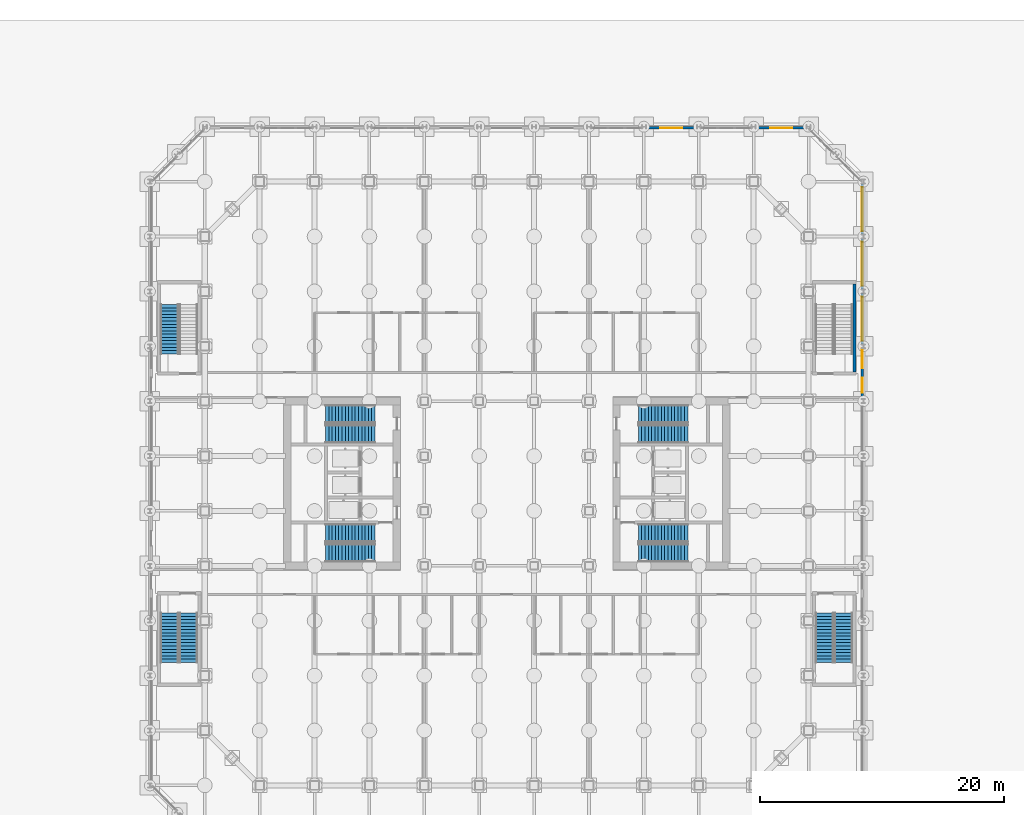
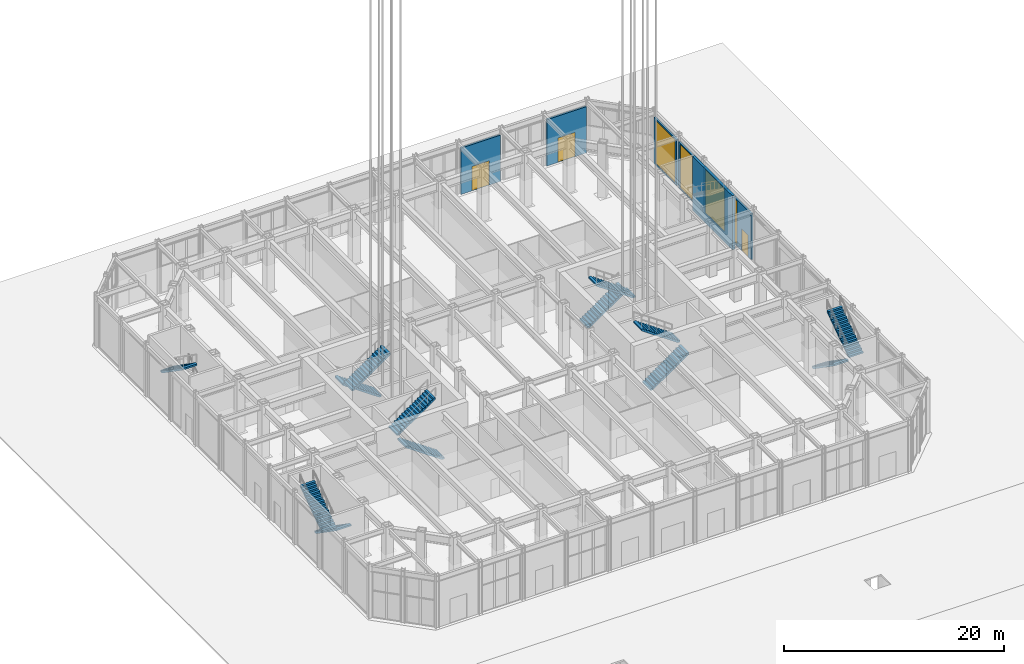
# One storey, part 22 of 39: 13 stair flights, 7 walls, 4 windows, 3 doors, 7 openings, 7 elements without a shape of their own.
"""IFC4 building model written with IfcOpenShell, lengths in metres."""

from ifc_helpers import new_model, si_unit, direction, frame, frame_2d, origin, place, context, subcontext, project, spatial, polyline, rectangle, outline, extrude, material, layer, layer_set, type_object, element, fill, aggregate, save


model = new_model("IFC4")

# Units and contexts
model_context = context("Model", 3, precision=1e-05, world=origin(), true_north=direction((0.0, 1.0)))
body_context = subcontext(model_context, "Body", "Model", "MODEL_VIEW")
ifc_project = project(units=[si_unit("LENGTHUNIT", "METRE"), si_unit("AREAUNIT", "SQUARE_METRE"), si_unit("VOLUMEUNIT", "CUBIC_METRE"), si_unit("PLANEANGLEUNIT", "RADIAN"), si_unit("MASSUNIT", "GRAM", prefix="KILO")], contexts=[model_context])

# Site, building, storey
site_placement = place(None, origin())
site = spatial("IfcSite", under=ifc_project, at=site_placement, CompositionType="ELEMENT")
building_placement = place(site_placement, origin())
building = spatial("IfcBuilding", under=site, at=building_placement, Name="Msasa Ring Tower", CompositionType="ELEMENT")
storey_placement = place(building_placement, origin())
storey = spatial("IfcBuildingStorey", under=building, at=storey_placement, Name="L00", CompositionType="ELEMENT", Elevation=0.0)

# Wall, openings, door, window
ifc_material_1 = material(Name="Terracotta rainscreen on blockwork", Category="masonry")
ifc_layer_1 = layer(ifc_material_1, 0.199951171875)
ifc_layer_set_1 = layer_set([ifc_layer_1], Name="FW2 TERRACOTTA PODIUM BAY WALL 200")
wall_type_1 = type_object("IfcWallType", Name="FW2 TERRACOTTA PODIUM BAY WALL 200", PredefinedType="SOLIDWALL", material=ifc_layer_set_1)
wall_1_placement = place(storey_placement, frame((29.14990234375, 6.9375, 0.0), z_axis=(0.0, 0.0, 1.0), x_axis=(0.0, 1.0, 0.0)))
wall_1 = element("IfcWall", 1, at=wall_1_placement, inside=storey, type_object=wall_type_1, Name="Podium bay wall E L00 20", PredefinedType="SOLIDWALL", context=body_context, shape_type="SweptSolid", body=[
    extrude(rectangle(XDim=4.125, YDim=0.199951171875, at=frame_2d((2.0625, 0.0))), origin(), (0.0, 0.0, 1.0), 5.1328125),
])
opening_1_placement = place(wall_1_placement, frame((0.512451171875, 0.0, 0.0)))
opening_1 = element("IfcOpeningElement", 2, at=opening_1_placement, cuts=wall_1, Name="Opening L00-022", PredefinedType="OPENING", context=body_context, shape_type="SweptSolid", body=[
    extrude(rectangle(XDim=1.199951171875, YDim=2.39990234375, at=frame_2d((0.60009765625, 1.199951171875))), frame((0.0, 0.10986328125, 0.0), z_axis=(0.0, -1.0, 0.0), x_axis=(1.0, 0.0, 0.0)), (0.0, 0.0, 1.0), 0.219970703125),
])
opening_2_placement = place(wall_1_placement, frame((2.512451171875, 0.0, 0.14990234375)))
opening_2 = element("IfcOpeningElement", 3, at=opening_2_placement, cuts=wall_1, Name="Opening SF5", PredefinedType="OPENING", context=body_context, shape_type="SweptSolid", body=[
    extrude(rectangle(XDim=1.60009765625, YDim=4.8330078125, at=frame_2d((0.800048828125, 2.41650390625))), frame((0.0, 0.10986328125, 0.0), z_axis=(0.0, -1.0, 0.0), x_axis=(1.0, 0.0, 0.0)), (0.0, 0.0, 1.0), 0.219970703125),
])
ifc_material_2 = material(Name="Aluminium frame with clear glass", Category="aluminium")
door_type_1 = type_object("IfcDoorType", Name="ED8 EXIT DOOR 1200x2400", OperationType="SINGLE_SWING_LEFT", PredefinedType="DOOR", material=ifc_material_2)
door_1_placement = place(opening_1_placement, origin())
door_1 = element("IfcDoor", 4, at=door_1_placement, inside=storey, type_object=door_type_1, Name="Exit door E L00", OperationType="SINGLE_SWING_LEFT", OverallHeight=2.39990234375, OverallWidth=1.199951171875, PredefinedType="DOOR", context=body_context, shape_type="SweptSolid", body=[
    extrude(rectangle(XDim=1.199951171875, YDim=2.39990234375, at=frame_2d((0.60009765625, 1.199951171875))), frame((0.0, 0.02490234375, 0.0), z_axis=(0.0, -1.0, 0.0), x_axis=(1.0, 0.0, 0.0)), (0.0, 0.0, 1.0), 0.050048828125),
])
fill(opening_1, door_1)
ifc_material_3 = material(Name="Aluminium frame with clear glass", Category="aluminium")
window_type_1 = type_object("IfcWindowType", Name="SF5 SHOPFRONT SIDE GLAZING 1600x4833", PartitioningType="SINGLE_PANEL", PredefinedType="WINDOW", material=ifc_material_3)
window_1_placement = place(opening_2_placement, origin())
window_1 = element("IfcWindow", 5, at=window_1_placement, inside=storey, type_object=window_type_1, Name="Shopfront glazing E L00 20", OverallHeight=4.8330078125, OverallWidth=1.60009765625, PartitioningType="SINGLE_PANEL", PredefinedType="WINDOW", context=body_context, shape_type="SweptSolid", body=[
    extrude(rectangle(XDim=1.60009765625, YDim=4.8330078125, at=frame_2d((0.800048828125, 2.41650390625))), frame((0.0, 0.030029296875, 0.0), z_axis=(0.0, -1.0, 0.0), x_axis=(1.0, 0.0, 0.0)), (0.0, 0.0, 1.0), 0.06005859375),
])
fill(opening_2, window_1)

# Wall, opening, window
wall_2_placement = place(storey_placement, frame((29.14990234375, 11.4375, 0.0), z_axis=(0.0, 0.0, 1.0), x_axis=(0.0, 1.0, 0.0)))
wall_2 = element("IfcWall", 6, at=wall_2_placement, inside=storey, type_object=wall_type_1, Name="Podium bay wall E L00 21", PredefinedType="SOLIDWALL", context=body_context, shape_type="SweptSolid", body=[
    extrude(rectangle(XDim=4.125, YDim=0.199951171875, at=frame_2d((2.0625, 0.0))), origin(), (0.0, 0.0, 1.0), 5.1328125),
])
opening_3_placement = place(wall_2_placement, frame((0.262451171875, 0.0, 0.14990234375)))
opening_3 = element("IfcOpeningElement", 7, at=opening_3_placement, cuts=wall_2, Name="Opening SF1", PredefinedType="OPENING", context=body_context, shape_type="SweptSolid", body=[
    extrude(rectangle(XDim=3.60009765625, YDim=4.8330078125, at=frame_2d((1.800048828125, 2.41650390625))), frame((0.0, 0.10986328125, 0.0), z_axis=(0.0, -1.0, 0.0), x_axis=(1.0, 0.0, 0.0)), (0.0, 0.0, 1.0), 0.219970703125),
])
ifc_material_4 = material(Name="Aluminium frame with clear glass", Category="aluminium")
window_type_2 = type_object("IfcWindowType", Name="SF1 SHOPFRONT GLAZING 3600x4833", PartitioningType="SINGLE_PANEL", PredefinedType="WINDOW", material=ifc_material_4)
window_2_placement = place(opening_3_placement, origin())
window_2 = element("IfcWindow", 8, at=window_2_placement, inside=storey, type_object=window_type_2, Name="Shopfront glazing E L00 21", OverallHeight=4.8330078125, OverallWidth=3.60009765625, PartitioningType="SINGLE_PANEL", PredefinedType="WINDOW", context=body_context, shape_type="SweptSolid", body=[
    extrude(rectangle(XDim=3.60009765625, YDim=4.8330078125, at=frame_2d((1.800048828125, 2.41650390625))), frame((0.0, 0.030029296875, 0.0), z_axis=(0.0, -1.0, 0.0), x_axis=(1.0, 0.0, 0.0)), (0.0, 0.0, 1.0), 0.06005859375),
])
fill(opening_3, window_2)

wall_3_placement = place(storey_placement, frame((29.14990234375, 15.9375, 0.0), z_axis=(0.0, 0.0, 1.0), x_axis=(0.0, 1.0, 0.0)))
wall_3 = element("IfcWall", 9, at=wall_3_placement, inside=storey, type_object=wall_type_1, Name="Podium bay wall E L00 22", PredefinedType="SOLIDWALL", context=body_context, shape_type="SweptSolid", body=[
    extrude(rectangle(XDim=4.124755859375, YDim=0.199951171875, at=frame_2d((2.0625, 0.0))), origin(), (0.0, 0.0, 1.0), 5.1328125),
])
opening_4_placement = place(wall_3_placement, frame((0.262451171875, 0.0, 0.14990234375)))
opening_4 = element("IfcOpeningElement", 10, at=opening_4_placement, cuts=wall_3, Name="Opening SF1", PredefinedType="OPENING", context=body_context, shape_type="SweptSolid", body=[
    extrude(rectangle(XDim=3.60009765625, YDim=4.8330078125, at=frame_2d((1.800048828125, 2.41650390625))), frame((0.0, 0.10986328125, 0.0), z_axis=(0.0, -1.0, 0.0), x_axis=(1.0, 0.0, 0.0)), (0.0, 0.0, 1.0), 0.219970703125),
])
window_3_placement = place(opening_4_placement, origin())
window_3 = element("IfcWindow", 11, at=window_3_placement, inside=storey, type_object=window_type_2, Name="Shopfront glazing E L00 22", OverallHeight=4.8330078125, OverallWidth=3.60009765625, PartitioningType="SINGLE_PANEL", PredefinedType="WINDOW", context=body_context, shape_type="SweptSolid", body=[
    extrude(rectangle(XDim=3.60009765625, YDim=4.8330078125, at=frame_2d((1.800048828125, 2.41650390625))), frame((0.0, 0.030029296875, 0.0), z_axis=(0.0, -1.0, 0.0), x_axis=(1.0, 0.0, 0.0)), (0.0, 0.0, 1.0), 0.06005859375),
])
fill(opening_4, window_3)

wall_4_placement = place(storey_placement, frame((29.14990234375, 20.437744140625, 0.0), z_axis=(0.0, 0.0, 1.0), x_axis=(0.0, 1.0, 0.0)))
wall_4 = element("IfcWall", 12, at=wall_4_placement, inside=storey, type_object=wall_type_1, Name="Podium bay wall E L00 23", PredefinedType="SOLIDWALL", context=body_context, shape_type="SweptSolid", body=[
    extrude(rectangle(XDim=4.12451171875, YDim=0.199951171875, at=frame_2d((2.062255859375, 0.0))), origin(), (0.0, 0.0, 1.0), 5.1328125),
])
opening_5_placement = place(wall_4_placement, frame((0.26220703125, 0.0, 0.14990234375)))
opening_5 = element("IfcOpeningElement", 13, at=opening_5_placement, cuts=wall_4, Name="Opening SF1", PredefinedType="OPENING", context=body_context, shape_type="SweptSolid", body=[
    extrude(rectangle(XDim=3.60009765625, YDim=4.8330078125, at=frame_2d((1.800048828125, 2.41650390625))), frame((0.0, 0.10986328125, 0.0), z_axis=(0.0, -1.0, 0.0), x_axis=(1.0, 0.0, 0.0)), (0.0, 0.0, 1.0), 0.219970703125),
])
window_4_placement = place(opening_5_placement, origin())
window_4 = element("IfcWindow", 14, at=window_4_placement, inside=storey, type_object=window_type_2, Name="Shopfront glazing E L00 23", OverallHeight=4.8330078125, OverallWidth=3.60009765625, PartitioningType="SINGLE_PANEL", PredefinedType="WINDOW", context=body_context, shape_type="SweptSolid", body=[
    extrude(rectangle(XDim=3.60009765625, YDim=4.8330078125, at=frame_2d((1.800048828125, 2.41650390625))), frame((0.0, 0.030029296875, 0.0), z_axis=(0.0, -1.0, 0.0), x_axis=(1.0, 0.0, 0.0)), (0.0, 0.0, 1.0), 0.06005859375),
])
fill(opening_5, window_4)

# Wall, opening, door
wall_5_placement = place(storey_placement, frame((11.4375, 29.14990234375, 0.0), z_axis=(0.0, 0.0, 1.0), x_axis=(1.0, 0.0, 0.0)))
wall_5 = element("IfcWall", 15, at=wall_5_placement, inside=storey, type_object=wall_type_1, Name="Podium bay wall N L00 34", PredefinedType="SOLIDWALL", context=body_context, shape_type="SweptSolid", body=[
    extrude(rectangle(XDim=4.125, YDim=0.199951171875, at=frame_2d((2.0625, 0.0))), origin(), (0.0, 0.0, 1.0), 5.1328125),
])
opening_6_placement = place(wall_5_placement, frame((1.162353515625, 0.0, 0.0)))
opening_6 = element("IfcOpeningElement", 16, at=opening_6_placement, cuts=wall_5, Name="Opening L00-006", PredefinedType="OPENING", context=body_context, shape_type="SweptSolid", body=[
    extrude(rectangle(XDim=1.800048828125, YDim=2.699951171875, at=frame_2d((0.89990234375, 1.35009765625))), frame((0.0, 0.10986328125, 0.0), z_axis=(0.0, -1.0, 0.0), x_axis=(1.0, 0.0, 0.0)), (0.0, 0.0, 1.0), 0.219970703125),
])
ifc_material_5 = material(Name="Aluminium frame with clear glass", Category="aluminium")
door_type_2 = type_object("IfcDoorType", Name="ED6 RETAIL ENTRANCE DOOR 1800x2700", OperationType="DOUBLE_DOOR_SINGLE_SWING", PredefinedType="DOOR", material=ifc_material_5)
door_2_placement = place(opening_6_placement, origin())
door_2 = element("IfcDoor", 17, at=door_2_placement, inside=storey, type_object=door_type_2, Name="Retail entrance door N L00", OperationType="DOUBLE_DOOR_SINGLE_SWING", OverallHeight=2.699951171875, OverallWidth=1.800048828125, PredefinedType="DOOR", context=body_context, shape_type="SweptSolid", body=[
    extrude(rectangle(XDim=1.800048828125, YDim=2.699951171875, at=frame_2d((0.89990234375, 1.35009765625))), frame((0.0, 0.02490234375, 0.0), z_axis=(0.0, -1.0, 0.0), x_axis=(1.0, 0.0, 0.0)), (0.0, 0.0, 1.0), 0.050048828125),
])
fill(opening_6, door_2)

wall_6_placement = place(storey_placement, frame((20.437744140625, 29.14990234375, 0.0), z_axis=(0.0, 0.0, 1.0), x_axis=(1.0, 0.0, 0.0)))
wall_6 = element("IfcWall", 18, at=wall_6_placement, inside=storey, type_object=wall_type_1, Name="Podium bay wall N L00 36", PredefinedType="SOLIDWALL", context=body_context, shape_type="SweptSolid", body=[
    extrude(rectangle(XDim=4.12451171875, YDim=0.199951171875, at=frame_2d((2.062255859375, 0.0))), origin(), (0.0, 0.0, 1.0), 5.1328125),
])
opening_7_placement = place(wall_6_placement, frame((1.162353515625, 0.0, 0.0)))
opening_7 = element("IfcOpeningElement", 19, at=opening_7_placement, cuts=wall_6, Name="Opening L00-007", PredefinedType="OPENING", context=body_context, shape_type="SweptSolid", body=[
    extrude(rectangle(XDim=1.800048828125, YDim=2.699951171875, at=frame_2d((0.89990234375, 1.35009765625))), frame((0.0, 0.10986328125, 0.0), z_axis=(0.0, -1.0, 0.0), x_axis=(1.0, 0.0, 0.0)), (0.0, 0.0, 1.0), 0.219970703125),
])
door_3_placement = place(opening_7_placement, origin())
door_3 = element("IfcDoor", 20, at=door_3_placement, inside=storey, type_object=door_type_2, Name="Retail entrance door N L00", OperationType="DOUBLE_DOOR_SINGLE_SWING", OverallHeight=2.699951171875, OverallWidth=1.800048828125, PredefinedType="DOOR", context=body_context, shape_type="SweptSolid", body=[
    extrude(rectangle(XDim=1.800048828125, YDim=2.699951171875, at=frame_2d((0.89990234375, 1.35009765625))), frame((0.0, 0.02490234375, 0.0), z_axis=(0.0, -1.0, 0.0), x_axis=(1.0, 0.0, 0.0)), (0.0, 0.0, 1.0), 0.050048828125),
])
fill(opening_7, door_3)

# Wall
ifc_material_6 = material(Name="Concrete C60/75", Category="concrete")
ifc_layer_2 = layer(ifc_material_6, 0.25)
ifc_layer_set_2 = layer_set([ifc_layer_2], Name="SW1 STAIR WALL 250")
wall_type_2 = type_object("IfcWallType", Name="SW1 STAIR WALL 250", PredefinedType="SHEAR", material=ifc_layer_set_2)
wall_7_placement = place(storey_placement, frame((28.5, 9.125, 0.0), z_axis=(0.0, 0.0, 1.0), x_axis=(0.0, 1.0, 0.0)))
element("IfcWall", 21, at=wall_7_placement, inside=storey, type_object=wall_type_2, Name="Podium stair EN wall E L00", PredefinedType="SHEAR", context=body_context, shape_type="SweptSolid", body=[
    extrude(rectangle(XDim=7.25, YDim=0.25, at=frame_2d((3.625, 0.0))), origin(), (0.0, 0.0, 1.0), 6.0),
])

# Stair, stair flights
ifc_material_7 = material(Name="Concrete C40/50", Category="concrete")
stair_type_1 = type_object("IfcStairType", Name="STC CORE STAIR 32 RISERS 187.5", PredefinedType="HALF_TURN_STAIR", material=ifc_material_7)
stair_1_placement = place(storey_placement, origin())
stair_1 = element("IfcStair", 22, at=stair_1_placement, inside=storey, type_object=stair_type_1, Name="Core stair SEA L00", PredefinedType="HALF_TURN_STAIR")
ifc_material_8 = material(Name="Concrete C40/50", Category="concrete")
stair_flight_type_1 = type_object("IfcStairFlightType", Name="ST17 CORE STAIR FLIGHT 1500 16 RISERS 187.5", PredefinedType="STRAIGHT", material=ifc_material_8)
stair_flight_1_placement = place(storey_placement, frame((10.800048828125, -5.699951171875, 0.0), z_axis=(0.0, 0.0, 1.0), x_axis=(1.0, 0.0, 0.0)))
stair_flight_1 = element("IfcStairFlight", 23, at=stair_flight_1_placement, type_object=stair_flight_type_1, Name="SEA flight 1", NumberOfRisers=16, NumberOfTreads=15, PredefinedType="STRAIGHT", RiserHeight=0.1875, TreadLength=0.27, context=body_context, shape_type="SweptSolid", body=[
    extrude(outline(polyline([(0.0, 0.0), (0.0, 0.1875), (0.27001953125, 0.1875), (0.27001953125, 0.375), (0.5400390625, 0.375), (0.5400390625, 0.5625), (0.81005859375, 0.5625), (0.81005859375, 0.75), (1.080078125, 0.75), (1.080078125, 0.9375), (1.35009765625, 0.9375), (1.35009765625, 1.125), (1.6201171875, 1.125), (1.6201171875, 1.3125), (1.889892578125, 1.3125), (1.889892578125, 1.5), (2.159912109375, 1.5), (2.159912109375, 1.6875), (2.429931640625, 1.6875), (2.429931640625, 1.875), (2.699951171875, 1.875), (2.699951171875, 2.0625), (2.969970703125, 2.0625), (2.969970703125, 2.25), (3.239990234375, 2.25), (3.239990234375, 2.4375), (3.510009765625, 2.4375), (3.510009765625, 2.625), (3.780029296875, 2.625), (3.780029296875, 2.8125), (4.050048828125, 2.8125), (4.050048828125, 3.0), (4.050048828125, 2.6298828125), (0.2626953125, 0.0), (0.0, 0.0)])), frame((0.0, 0.75, 0.0), z_axis=(0.0, -1.0, 0.0), x_axis=(1.0, 0.0, 0.0)), (0.0, 0.0, 1.0), 1.5),
])
stair_flight_2_placement = place(storey_placement, frame((14.85009765625, -4.074951171875, 3.0), z_axis=(0.0, 0.0, 1.0), x_axis=(-1.0, 0.0, 0.0)))
stair_flight_2 = element("IfcStairFlight", 24, at=stair_flight_2_placement, type_object=stair_flight_type_1, Name="SEA flight 2", NumberOfRisers=16, NumberOfTreads=15, PredefinedType="STRAIGHT", RiserHeight=0.1875, TreadLength=0.27, context=body_context, shape_type="SweptSolid", body=[
    extrude(outline(polyline([(0.0, 0.0), (0.0, 0.1875), (0.27001953125, 0.1875), (0.27001953125, 0.375), (0.5400390625, 0.375), (0.5400390625, 0.5625), (0.81005859375, 0.5625), (0.81005859375, 0.75), (1.080078125, 0.75), (1.080078125, 0.9375), (1.35009765625, 0.9375), (1.35009765625, 1.125), (1.6201171875, 1.125), (1.6201171875, 1.3125), (1.889892578125, 1.3125), (1.889892578125, 1.5), (2.159912109375, 1.5), (2.159912109375, 1.6875), (2.429931640625, 1.6875), (2.429931640625, 1.875), (2.699951171875, 1.875), (2.699951171875, 2.0625), (2.969970703125, 2.0625), (2.969970703125, 2.25), (3.239990234375, 2.25), (3.239990234375, 2.4375), (3.510009765625, 2.4375), (3.510009765625, 2.625), (3.780029296875, 2.625), (3.780029296875, 2.8125), (4.050048828125, 2.8125), (4.050048828125, 3.0), (4.050048828125, 2.6298828125), (0.2626953125, 0.0), (0.0, 0.0)])), frame((0.0, 0.75, 0.0), z_axis=(0.0, -1.0, 0.0), x_axis=(1.0, 0.0, 0.0)), (0.0, 0.0, 1.0), 1.5),
])
aggregate(stair_1, [stair_flight_1, stair_flight_2])

stair_2_placement = place(storey_placement, origin())
stair_2 = element("IfcStair", 25, at=stair_2_placement, inside=storey, type_object=stair_type_1, Name="Core stair SEB L00", PredefinedType="HALF_TURN_STAIR")
stair_flight_3_placement = place(storey_placement, frame((10.800048828125, 5.699951171875, 0.0), z_axis=(0.0, 0.0, 1.0), x_axis=(1.0, 0.0, 0.0)))
stair_flight_3 = element("IfcStairFlight", 26, at=stair_flight_3_placement, type_object=stair_flight_type_1, Name="SEB flight 1", NumberOfRisers=16, NumberOfTreads=15, PredefinedType="STRAIGHT", RiserHeight=0.1875, TreadLength=0.27, context=body_context, shape_type="SweptSolid", body=[
    extrude(outline(polyline([(0.0, 0.0), (0.0, 0.1875), (0.27001953125, 0.1875), (0.27001953125, 0.375), (0.5400390625, 0.375), (0.5400390625, 0.5625), (0.81005859375, 0.5625), (0.81005859375, 0.75), (1.080078125, 0.75), (1.080078125, 0.9375), (1.35009765625, 0.9375), (1.35009765625, 1.125), (1.6201171875, 1.125), (1.6201171875, 1.3125), (1.889892578125, 1.3125), (1.889892578125, 1.5), (2.159912109375, 1.5), (2.159912109375, 1.6875), (2.429931640625, 1.6875), (2.429931640625, 1.875), (2.699951171875, 1.875), (2.699951171875, 2.0625), (2.969970703125, 2.0625), (2.969970703125, 2.25), (3.239990234375, 2.25), (3.239990234375, 2.4375), (3.510009765625, 2.4375), (3.510009765625, 2.625), (3.780029296875, 2.625), (3.780029296875, 2.8125), (4.050048828125, 2.8125), (4.050048828125, 3.0), (4.050048828125, 2.6298828125), (0.2626953125, 0.0), (0.0, 0.0)])), frame((0.0, 0.75, 0.0), z_axis=(0.0, -1.0, 0.0), x_axis=(1.0, 0.0, 0.0)), (0.0, 0.0, 1.0), 1.5),
])
stair_flight_4_placement = place(storey_placement, frame((14.85009765625, 4.074951171875, 3.0), z_axis=(0.0, 0.0, 1.0), x_axis=(-1.0, 0.0, 0.0)))
stair_flight_4 = element("IfcStairFlight", 27, at=stair_flight_4_placement, type_object=stair_flight_type_1, Name="SEB flight 2", NumberOfRisers=16, NumberOfTreads=15, PredefinedType="STRAIGHT", RiserHeight=0.1875, TreadLength=0.27, context=body_context, shape_type="SweptSolid", body=[
    extrude(outline(polyline([(0.0, 0.0), (0.0, 0.1875), (0.27001953125, 0.1875), (0.27001953125, 0.375), (0.5400390625, 0.375), (0.5400390625, 0.5625), (0.81005859375, 0.5625), (0.81005859375, 0.75), (1.080078125, 0.75), (1.080078125, 0.9375), (1.35009765625, 0.9375), (1.35009765625, 1.125), (1.6201171875, 1.125), (1.6201171875, 1.3125), (1.889892578125, 1.3125), (1.889892578125, 1.5), (2.159912109375, 1.5), (2.159912109375, 1.6875), (2.429931640625, 1.6875), (2.429931640625, 1.875), (2.699951171875, 1.875), (2.699951171875, 2.0625), (2.969970703125, 2.0625), (2.969970703125, 2.25), (3.239990234375, 2.25), (3.239990234375, 2.4375), (3.510009765625, 2.4375), (3.510009765625, 2.625), (3.780029296875, 2.625), (3.780029296875, 2.8125), (4.050048828125, 2.8125), (4.050048828125, 3.0), (4.050048828125, 2.6298828125), (0.2626953125, 0.0), (0.0, 0.0)])), frame((0.0, 0.75, 0.0), z_axis=(0.0, -1.0, 0.0), x_axis=(1.0, 0.0, 0.0)), (0.0, 0.0, 1.0), 1.5),
])
aggregate(stair_2, [stair_flight_3, stair_flight_4])

stair_3_placement = place(storey_placement, origin())
stair_3 = element("IfcStair", 28, at=stair_3_placement, inside=storey, type_object=stair_type_1, Name="Core stair SWA L00", PredefinedType="HALF_TURN_STAIR")
stair_flight_5_placement = place(storey_placement, frame((-10.800048828125, -5.699951171875, 0.0), z_axis=(0.0, 0.0, 1.0), x_axis=(-1.0, 0.0, 0.0)))
stair_flight_5 = element("IfcStairFlight", 29, at=stair_flight_5_placement, type_object=stair_flight_type_1, Name="SWA flight 1", NumberOfRisers=16, NumberOfTreads=15, PredefinedType="STRAIGHT", RiserHeight=0.1875, TreadLength=0.27, context=body_context, shape_type="SweptSolid", body=[
    extrude(outline(polyline([(0.0, 0.0), (0.0, 0.1875), (0.27001953125, 0.1875), (0.27001953125, 0.375), (0.5400390625, 0.375), (0.5400390625, 0.5625), (0.81005859375, 0.5625), (0.81005859375, 0.75), (1.080078125, 0.75), (1.080078125, 0.9375), (1.35009765625, 0.9375), (1.35009765625, 1.125), (1.6201171875, 1.125), (1.6201171875, 1.3125), (1.889892578125, 1.3125), (1.889892578125, 1.5), (2.159912109375, 1.5), (2.159912109375, 1.6875), (2.429931640625, 1.6875), (2.429931640625, 1.875), (2.699951171875, 1.875), (2.699951171875, 2.0625), (2.969970703125, 2.0625), (2.969970703125, 2.25), (3.239990234375, 2.25), (3.239990234375, 2.4375), (3.510009765625, 2.4375), (3.510009765625, 2.625), (3.780029296875, 2.625), (3.780029296875, 2.8125), (4.050048828125, 2.8125), (4.050048828125, 3.0), (4.050048828125, 2.6298828125), (0.2626953125, 0.0), (0.0, 0.0)])), frame((0.0, 0.75, 0.0), z_axis=(0.0, -1.0, 0.0), x_axis=(1.0, 0.0, 0.0)), (0.0, 0.0, 1.0), 1.5),
])
stair_flight_6_placement = place(storey_placement, frame((-14.85009765625, -4.074951171875, 3.0), z_axis=(0.0, 0.0, 1.0), x_axis=(1.0, 0.0, 0.0)))
stair_flight_6 = element("IfcStairFlight", 30, at=stair_flight_6_placement, type_object=stair_flight_type_1, Name="SWA flight 2", NumberOfRisers=16, NumberOfTreads=15, PredefinedType="STRAIGHT", RiserHeight=0.1875, TreadLength=0.27, context=body_context, shape_type="SweptSolid", body=[
    extrude(outline(polyline([(0.0, 0.0), (0.0, 0.1875), (0.27001953125, 0.1875), (0.27001953125, 0.375), (0.5400390625, 0.375), (0.5400390625, 0.5625), (0.81005859375, 0.5625), (0.81005859375, 0.75), (1.080078125, 0.75), (1.080078125, 0.9375), (1.35009765625, 0.9375), (1.35009765625, 1.125), (1.6201171875, 1.125), (1.6201171875, 1.3125), (1.889892578125, 1.3125), (1.889892578125, 1.5), (2.159912109375, 1.5), (2.159912109375, 1.6875), (2.429931640625, 1.6875), (2.429931640625, 1.875), (2.699951171875, 1.875), (2.699951171875, 2.0625), (2.969970703125, 2.0625), (2.969970703125, 2.25), (3.239990234375, 2.25), (3.239990234375, 2.4375), (3.510009765625, 2.4375), (3.510009765625, 2.625), (3.780029296875, 2.625), (3.780029296875, 2.8125), (4.050048828125, 2.8125), (4.050048828125, 3.0), (4.050048828125, 2.6298828125), (0.2626953125, 0.0), (0.0, 0.0)])), frame((0.0, 0.75, 0.0), z_axis=(0.0, -1.0, 0.0), x_axis=(1.0, 0.0, 0.0)), (0.0, 0.0, 1.0), 1.5),
])
aggregate(stair_3, [stair_flight_5, stair_flight_6])

stair_4_placement = place(storey_placement, origin())
stair_4 = element("IfcStair", 31, at=stair_4_placement, inside=storey, type_object=stair_type_1, Name="Core stair SWB L00", PredefinedType="HALF_TURN_STAIR")
stair_flight_7_placement = place(storey_placement, frame((-10.800048828125, 5.699951171875, 0.0), z_axis=(0.0, 0.0, 1.0), x_axis=(-1.0, 0.0, 0.0)))
stair_flight_7 = element("IfcStairFlight", 32, at=stair_flight_7_placement, type_object=stair_flight_type_1, Name="SWB flight 1", NumberOfRisers=16, NumberOfTreads=15, PredefinedType="STRAIGHT", RiserHeight=0.1875, TreadLength=0.27, context=body_context, shape_type="SweptSolid", body=[
    extrude(outline(polyline([(0.0, 0.0), (0.0, 0.1875), (0.27001953125, 0.1875), (0.27001953125, 0.375), (0.5400390625, 0.375), (0.5400390625, 0.5625), (0.81005859375, 0.5625), (0.81005859375, 0.75), (1.080078125, 0.75), (1.080078125, 0.9375), (1.35009765625, 0.9375), (1.35009765625, 1.125), (1.6201171875, 1.125), (1.6201171875, 1.3125), (1.889892578125, 1.3125), (1.889892578125, 1.5), (2.159912109375, 1.5), (2.159912109375, 1.6875), (2.429931640625, 1.6875), (2.429931640625, 1.875), (2.699951171875, 1.875), (2.699951171875, 2.0625), (2.969970703125, 2.0625), (2.969970703125, 2.25), (3.239990234375, 2.25), (3.239990234375, 2.4375), (3.510009765625, 2.4375), (3.510009765625, 2.625), (3.780029296875, 2.625), (3.780029296875, 2.8125), (4.050048828125, 2.8125), (4.050048828125, 3.0), (4.050048828125, 2.6298828125), (0.2626953125, 0.0), (0.0, 0.0)])), frame((0.0, 0.75, 0.0), z_axis=(0.0, -1.0, 0.0), x_axis=(1.0, 0.0, 0.0)), (0.0, 0.0, 1.0), 1.5),
])
stair_flight_8_placement = place(storey_placement, frame((-14.85009765625, 4.074951171875, 3.0), z_axis=(0.0, 0.0, 1.0), x_axis=(1.0, 0.0, 0.0)))
stair_flight_8 = element("IfcStairFlight", 33, at=stair_flight_8_placement, type_object=stair_flight_type_1, Name="SWB flight 2", NumberOfRisers=16, NumberOfTreads=15, PredefinedType="STRAIGHT", RiserHeight=0.1875, TreadLength=0.27, context=body_context, shape_type="SweptSolid", body=[
    extrude(outline(polyline([(0.0, 0.0), (0.0, 0.1875), (0.27001953125, 0.1875), (0.27001953125, 0.375), (0.5400390625, 0.375), (0.5400390625, 0.5625), (0.81005859375, 0.5625), (0.81005859375, 0.75), (1.080078125, 0.75), (1.080078125, 0.9375), (1.35009765625, 0.9375), (1.35009765625, 1.125), (1.6201171875, 1.125), (1.6201171875, 1.3125), (1.889892578125, 1.3125), (1.889892578125, 1.5), (2.159912109375, 1.5), (2.159912109375, 1.6875), (2.429931640625, 1.6875), (2.429931640625, 1.875), (2.699951171875, 1.875), (2.699951171875, 2.0625), (2.969970703125, 2.0625), (2.969970703125, 2.25), (3.239990234375, 2.25), (3.239990234375, 2.4375), (3.510009765625, 2.4375), (3.510009765625, 2.625), (3.780029296875, 2.625), (3.780029296875, 2.8125), (4.050048828125, 2.8125), (4.050048828125, 3.0), (4.050048828125, 2.6298828125), (0.2626953125, 0.0), (0.0, 0.0)])), frame((0.0, 0.75, 0.0), z_axis=(0.0, -1.0, 0.0), x_axis=(1.0, 0.0, 0.0)), (0.0, 0.0, 1.0), 1.5),
])
aggregate(stair_4, [stair_flight_7, stair_flight_8])

ifc_material_9 = material(Name="Concrete C40/50", Category="concrete")
stair_type_2 = type_object("IfcStairType", Name="STP PODIUM STAIR 32 RISERS 187.5", PredefinedType="HALF_TURN_STAIR", material=ifc_material_9)
stair_5_placement = place(storey_placement, origin())
stair_5 = element("IfcStair", 34, at=stair_5_placement, inside=storey, type_object=stair_type_2, Name="Podium stair PES L00", PredefinedType="HALF_TURN_STAIR")
ifc_material_10 = material(Name="Concrete C40/50", Category="concrete")
stair_flight_type_2 = type_object("IfcStairFlightType", Name="ST23 PODIUM STAIR FLIGHT 1500 16 RISERS 187.5", PredefinedType="STRAIGHT", material=ifc_material_10)
stair_flight_9_placement = place(storey_placement, frame((26.074951171875, -10.625, 0.0), z_axis=(0.0, 0.0, 1.0), x_axis=(0.0, -1.0, 0.0)))
stair_flight_9 = element("IfcStairFlight", 35, at=stair_flight_9_placement, type_object=stair_flight_type_2, Name="PES flight 1", NumberOfRisers=16, NumberOfTreads=15, PredefinedType="STRAIGHT", RiserHeight=0.1875, TreadLength=0.27, context=body_context, shape_type="SweptSolid", body=[
    extrude(outline(polyline([(0.0, 0.0), (0.0, 0.1875), (0.27001953125, 0.1875), (0.27001953125, 0.375), (0.5400390625, 0.375), (0.5400390625, 0.5625), (0.81005859375, 0.5625), (0.81005859375, 0.75), (1.080078125, 0.75), (1.080078125, 0.9375), (1.35009765625, 0.9375), (1.35009765625, 1.125), (1.6201171875, 1.125), (1.6201171875, 1.3125), (1.889892578125, 1.3125), (1.889892578125, 1.5), (2.159912109375, 1.5), (2.159912109375, 1.6875), (2.429931640625, 1.6875), (2.429931640625, 1.875), (2.699951171875, 1.875), (2.699951171875, 2.0625), (2.969970703125, 2.0625), (2.969970703125, 2.25), (3.239990234375, 2.25), (3.239990234375, 2.4375), (3.510009765625, 2.4375), (3.510009765625, 2.625), (3.780029296875, 2.625), (3.780029296875, 2.8125), (4.050048828125, 2.8125), (4.050048828125, 3.0), (4.050048828125, 2.6298828125), (0.2626953125, 0.0), (0.0, 0.0)])), frame((0.0, 0.75, 0.0), z_axis=(0.0, -1.0, 0.0), x_axis=(1.0, 0.0, 0.0)), (0.0, 0.0, 1.0), 1.5),
])
stair_flight_10_placement = place(storey_placement, frame((27.625, -14.675048828125, 3.0), z_axis=(0.0, 0.0, 1.0), x_axis=(0.0, 1.0, 0.0)))
stair_flight_10 = element("IfcStairFlight", 36, at=stair_flight_10_placement, type_object=stair_flight_type_2, Name="PES flight 2", NumberOfRisers=16, NumberOfTreads=15, PredefinedType="STRAIGHT", RiserHeight=0.1875, TreadLength=0.27, context=body_context, shape_type="SweptSolid", body=[
    extrude(outline(polyline([(0.0, 0.0), (0.0, 0.1875), (0.27001953125, 0.1875), (0.27001953125, 0.375), (0.5400390625, 0.375), (0.5400390625, 0.5625), (0.81005859375, 0.5625), (0.81005859375, 0.75), (1.080078125, 0.75), (1.080078125, 0.9375), (1.35009765625, 0.9375), (1.35009765625, 1.125), (1.6201171875, 1.125), (1.6201171875, 1.3125), (1.889892578125, 1.3125), (1.889892578125, 1.5), (2.159912109375, 1.5), (2.159912109375, 1.6875), (2.429931640625, 1.6875), (2.429931640625, 1.875), (2.699951171875, 1.875), (2.699951171875, 2.0625), (2.969970703125, 2.0625), (2.969970703125, 2.25), (3.239990234375, 2.25), (3.239990234375, 2.4375), (3.510009765625, 2.4375), (3.510009765625, 2.625), (3.780029296875, 2.625), (3.780029296875, 2.8125), (4.050048828125, 2.8125), (4.050048828125, 3.0), (4.050048828125, 2.6298828125), (0.2626953125, 0.0), (0.0, 0.0)])), frame((0.0, 0.75, 0.0), z_axis=(0.0, -1.0, 0.0), x_axis=(1.0, 0.0, 0.0)), (0.0, 0.0, 1.0), 1.5),
])
aggregate(stair_5, [stair_flight_9, stair_flight_10])

# Stair, stair flight
stair_6_placement = place(storey_placement, origin())
stair_6 = element("IfcStair", 37, at=stair_6_placement, inside=storey, type_object=stair_type_2, Name="Podium stair PWN L00", PredefinedType="HALF_TURN_STAIR")
stair_flight_11_placement = place(storey_placement, frame((-27.625, 14.675048828125, 3.0), z_axis=(0.0, 0.0, 1.0), x_axis=(0.0, -1.0, 0.0)))
stair_flight_11 = element("IfcStairFlight", 38, at=stair_flight_11_placement, type_object=stair_flight_type_2, Name="PWN flight 2", NumberOfRisers=16, NumberOfTreads=15, PredefinedType="STRAIGHT", RiserHeight=0.1875, TreadLength=0.27, context=body_context, shape_type="SweptSolid", body=[
    extrude(outline(polyline([(0.0, 0.0), (0.0, 0.1875), (0.27001953125, 0.1875), (0.27001953125, 0.375), (0.5400390625, 0.375), (0.5400390625, 0.5625), (0.81005859375, 0.5625), (0.81005859375, 0.75), (1.080078125, 0.75), (1.080078125, 0.9375), (1.35009765625, 0.9375), (1.35009765625, 1.125), (1.6201171875, 1.125), (1.6201171875, 1.3125), (1.889892578125, 1.3125), (1.889892578125, 1.5), (2.159912109375, 1.5), (2.159912109375, 1.6875), (2.429931640625, 1.6875), (2.429931640625, 1.875), (2.699951171875, 1.875), (2.699951171875, 2.0625), (2.969970703125, 2.0625), (2.969970703125, 2.25), (3.239990234375, 2.25), (3.239990234375, 2.4375), (3.510009765625, 2.4375), (3.510009765625, 2.625), (3.780029296875, 2.625), (3.780029296875, 2.8125), (4.050048828125, 2.8125), (4.050048828125, 3.0), (4.050048828125, 2.6298828125), (0.2626953125, 0.0), (0.0, 0.0)])), frame((0.0, 0.75, 0.0), z_axis=(0.0, -1.0, 0.0), x_axis=(1.0, 0.0, 0.0)), (0.0, 0.0, 1.0), 1.5),
])
aggregate(stair_6, [stair_flight_11])

# Stair, stair flights
stair_7_placement = place(storey_placement, origin())
stair_7 = element("IfcStair", 39, at=stair_7_placement, inside=storey, type_object=stair_type_2, Name="Podium stair PWS L00", PredefinedType="HALF_TURN_STAIR")
stair_flight_12_placement = place(storey_placement, frame((-26.074951171875, -10.625, 0.0), z_axis=(0.0, 0.0, 1.0), x_axis=(0.0, -1.0, 0.0)))
stair_flight_12 = element("IfcStairFlight", 40, at=stair_flight_12_placement, type_object=stair_flight_type_2, Name="PWS flight 1", NumberOfRisers=16, NumberOfTreads=15, PredefinedType="STRAIGHT", RiserHeight=0.1875, TreadLength=0.27, context=body_context, shape_type="SweptSolid", body=[
    extrude(outline(polyline([(0.0, 0.0), (0.0, 0.1875), (0.27001953125, 0.1875), (0.27001953125, 0.375), (0.5400390625, 0.375), (0.5400390625, 0.5625), (0.81005859375, 0.5625), (0.81005859375, 0.75), (1.080078125, 0.75), (1.080078125, 0.9375), (1.35009765625, 0.9375), (1.35009765625, 1.125), (1.6201171875, 1.125), (1.6201171875, 1.3125), (1.889892578125, 1.3125), (1.889892578125, 1.5), (2.159912109375, 1.5), (2.159912109375, 1.6875), (2.429931640625, 1.6875), (2.429931640625, 1.875), (2.699951171875, 1.875), (2.699951171875, 2.0625), (2.969970703125, 2.0625), (2.969970703125, 2.25), (3.239990234375, 2.25), (3.239990234375, 2.4375), (3.510009765625, 2.4375), (3.510009765625, 2.625), (3.780029296875, 2.625), (3.780029296875, 2.8125), (4.050048828125, 2.8125), (4.050048828125, 3.0), (4.050048828125, 2.6298828125), (0.2626953125, 0.0), (0.0, 0.0)])), frame((0.0, 0.75, 0.0), z_axis=(0.0, -1.0, 0.0), x_axis=(1.0, 0.0, 0.0)), (0.0, 0.0, 1.0), 1.5),
])
stair_flight_13_placement = place(storey_placement, frame((-27.625, -14.675048828125, 3.0), z_axis=(0.0, 0.0, 1.0), x_axis=(0.0, 1.0, 0.0)))
stair_flight_13 = element("IfcStairFlight", 41, at=stair_flight_13_placement, type_object=stair_flight_type_2, Name="PWS flight 2", NumberOfRisers=16, NumberOfTreads=15, PredefinedType="STRAIGHT", RiserHeight=0.1875, TreadLength=0.27, context=body_context, shape_type="SweptSolid", body=[
    extrude(outline(polyline([(0.0, 0.0), (0.0, 0.1875), (0.27001953125, 0.1875), (0.27001953125, 0.375), (0.5400390625, 0.375), (0.5400390625, 0.5625), (0.81005859375, 0.5625), (0.81005859375, 0.75), (1.080078125, 0.75), (1.080078125, 0.9375), (1.35009765625, 0.9375), (1.35009765625, 1.125), (1.6201171875, 1.125), (1.6201171875, 1.3125), (1.889892578125, 1.3125), (1.889892578125, 1.5), (2.159912109375, 1.5), (2.159912109375, 1.6875), (2.429931640625, 1.6875), (2.429931640625, 1.875), (2.699951171875, 1.875), (2.699951171875, 2.0625), (2.969970703125, 2.0625), (2.969970703125, 2.25), (3.239990234375, 2.25), (3.239990234375, 2.4375), (3.510009765625, 2.4375), (3.510009765625, 2.625), (3.780029296875, 2.625), (3.780029296875, 2.8125), (4.050048828125, 2.8125), (4.050048828125, 3.0), (4.050048828125, 2.6298828125), (0.2626953125, 0.0), (0.0, 0.0)])), frame((0.0, 0.75, 0.0), z_axis=(0.0, -1.0, 0.0), x_axis=(1.0, 0.0, 0.0)), (0.0, 0.0, 1.0), 1.5),
])
aggregate(stair_7, [stair_flight_12, stair_flight_13])

save(model, "model.ifc")
